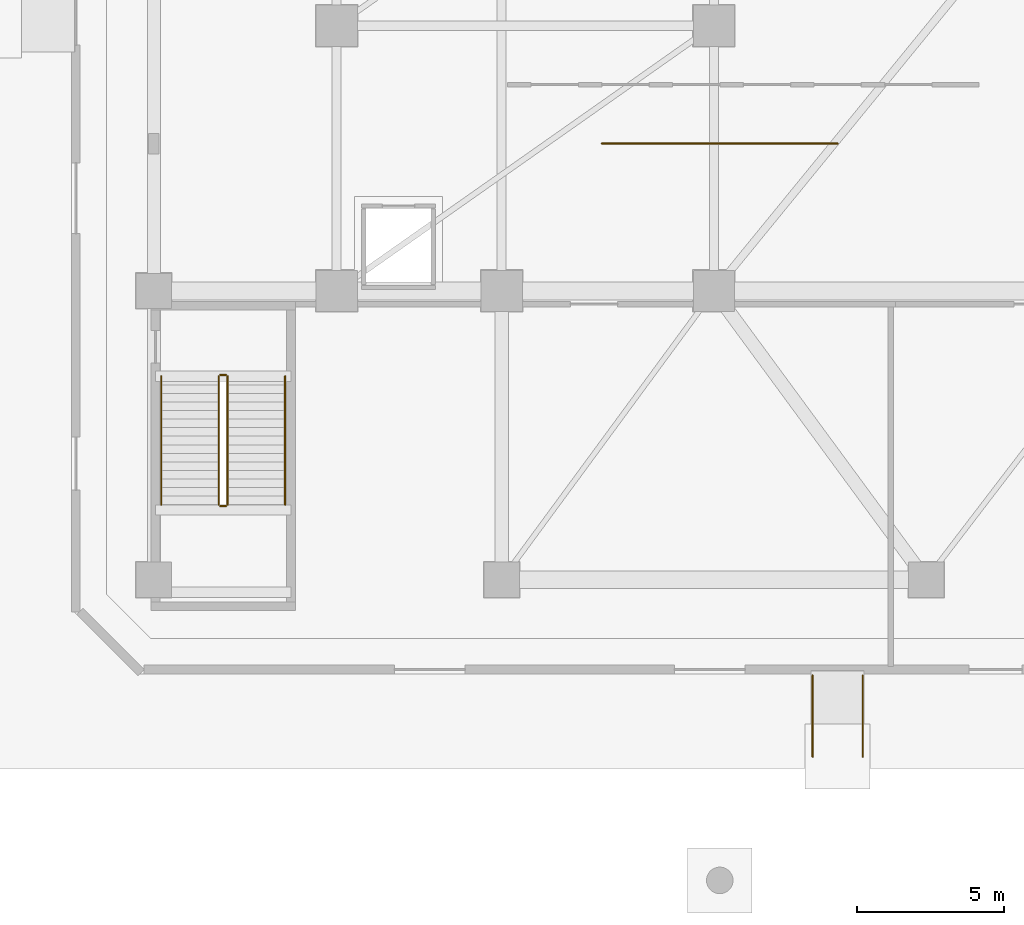
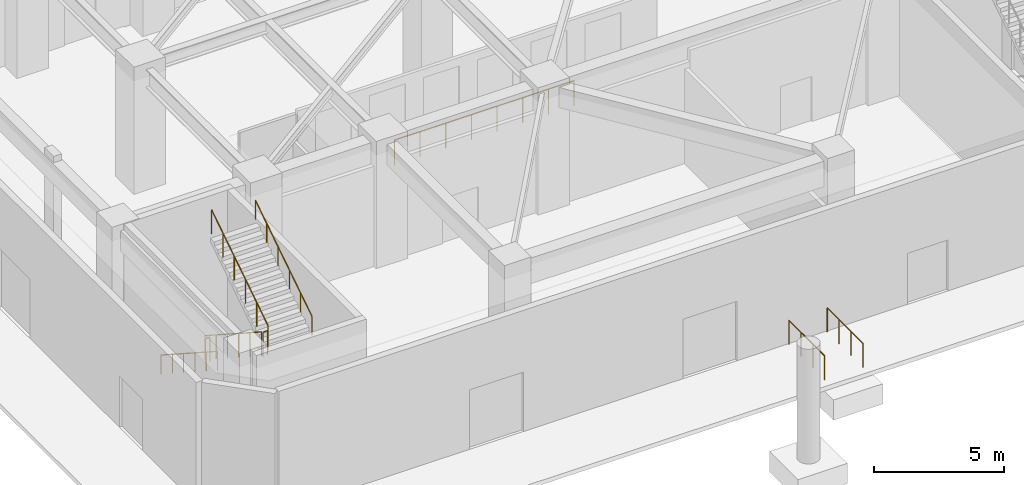
# One storey, part 7 of 13: 9 railings.
"""IFC4 building model written with IfcOpenShell, lengths in metres."""

from ifc_helpers import new_model, si_unit, direction, frame, origin, origin_2d, place, context, subcontext, project, spatial, circle, extrude, material, type_object, element, save


model = new_model("IFC4")

# Units and contexts
model_context = context("Model", 3, precision=1e-05, world=origin(), true_north=direction((0.0, 1.0)))
body_context = subcontext(model_context, "Body", "Model", "MODEL_VIEW")
ifc_project = project(units=[si_unit("LENGTHUNIT", "METRE"), si_unit("AREAUNIT", "SQUARE_METRE"), si_unit("VOLUMEUNIT", "CUBIC_METRE"), si_unit("PLANEANGLEUNIT", "RADIAN"), si_unit("MASSUNIT", "GRAM", prefix="KILO")], contexts=[model_context])

# Site, building, storey
site_placement = place(None, origin())
site = spatial("IfcSite", under=ifc_project, at=site_placement, CompositionType="ELEMENT")
building_placement = place(site_placement, origin())
building = spatial("IfcBuilding", under=site, at=building_placement, Name="Calvemar Wedge Station Tower", CompositionType="ELEMENT")
storey_placement = place(building_placement, origin())
storey = spatial("IfcBuildingStorey", under=building, at=storey_placement, Name="L01", CompositionType="ELEMENT", Elevation=0.0)

# Railings
ifc_material_1 = material(Name="Anodised aluminium 6063-T6", Category="aluminium")
railing_type_1 = type_object("IfcRailingType", Name="RL-BALUSTRADE-1200", PredefinedType="BALUSTRADE", material=ifc_material_1)
railing_1_placement = place(storey_placement, frame((20.0, 20.0, 0.0)))
element("IfcRailing", 1, at=railing_1_placement, inside=storey, type_object=railing_type_1, Name="Storey L01 Glazed Feature Balustrade 1", PredefinedType="BALUSTRADE", context=body_context, shape_type="SweptSolid", body=[
    extrude(circle(Radius=0.02392578125, at=origin_2d()), frame((0.0, 0.0, 1.17578125), z_axis=(1.0, 0.0, 0.0), x_axis=(0.0, 1.0, 0.0)), (0.0, 0.0, 1.0), 8.0),
    extrude(circle(Radius=0.02099609375, at=origin_2d()), origin(), (0.0, 0.0, 1.0), 1.15185546875),
    extrude(circle(Radius=0.02099609375, at=origin_2d()), frame((1.142822265625, 0.0, 0.0)), (0.0, 0.0, 1.0), 1.15185546875),
    extrude(circle(Radius=0.02099609375, at=origin_2d()), frame((2.28564453125, 0.0, 0.0)), (0.0, 0.0, 1.0), 1.15185546875),
    extrude(circle(Radius=0.02099609375, at=origin_2d()), frame((3.428466796875, 0.0, 0.0)), (0.0, 0.0, 1.0), 1.15185546875),
    extrude(circle(Radius=0.02099609375, at=origin_2d()), frame((4.571533203125, 0.0, 0.0)), (0.0, 0.0, 1.0), 1.15185546875),
    extrude(circle(Radius=0.02099609375, at=origin_2d()), frame((5.71435546875, 0.0, 0.0)), (0.0, 0.0, 1.0), 1.15185546875),
    extrude(circle(Radius=0.02099609375, at=origin_2d()), frame((6.857177734375, 0.0, 0.0)), (0.0, 0.0, 1.0), 1.15185546875),
    extrude(circle(Radius=0.02099609375, at=origin_2d()), frame((8.0, 0.0, 0.0)), (0.0, 0.0, 1.0), 1.15185546875),
])
ifc_material_2 = material(Name="Stainless steel AISI 316L", Category="steel")
railing_type_2 = type_object("IfcRailingType", Name="RL-HANDRAIL-920", PredefinedType="HANDRAIL", material=ifc_material_2)
railing_2_placement = place(storey_placement, frame((5.050048828125, 12.10009765625, 0.1875)))
element("IfcRailing", 2, at=railing_2_placement, inside=storey, type_object=railing_type_2, Name="L01 ST-P1 stair handrail 1", PredefinedType="HANDRAIL", context=body_context, shape_type="SweptSolid", body=[
    extrude(circle(Radius=0.02392578125, at=origin_2d()), frame((0.0, 0.0, 0.89599609375), z_axis=(0.0, -0.839769887392, 0.54294247967), x_axis=(1.0, 0.0, 0.0)), (0.0, 0.0, 1.0), 5.18017578125),
    extrude(circle(Radius=0.02099609375, at=origin_2d()), origin(), (0.0, 0.0, 1.0), 0.871826171875),
    extrude(circle(Radius=0.02099609375, at=origin_2d()), frame((0.0, -0.8701171875, 0.5625)), (0.0, 0.0, 1.0), 0.871826171875),
    extrude(circle(Radius=0.02099609375, at=origin_2d()), frame((0.0, -1.739990234375, 1.125)), (0.0, 0.0, 1.0), 0.871826171875),
    extrude(circle(Radius=0.02099609375, at=origin_2d()), frame((0.0, -2.610107421875, 1.6875)), (0.0, 0.0, 1.0), 0.871826171875),
    extrude(circle(Radius=0.02099609375, at=origin_2d()), frame((0.0, -3.47998046875, 2.25)), (0.0, 0.0, 1.0), 0.871826171875),
    extrude(circle(Radius=0.02099609375, at=origin_2d()), frame((0.0, -4.35009765625, 2.8125)), (0.0, 0.0, 1.0), 0.871826171875),
])
railing_3_placement = place(storey_placement, frame((9.25, 7.75, 3.1875)))
element("IfcRailing", 3, at=railing_3_placement, inside=storey, type_object=railing_type_2, Name="L01 ST-P1 stair handrail 2", PredefinedType="HANDRAIL", context=body_context, shape_type="SweptSolid", body=[
    extrude(circle(Radius=0.02392578125, at=origin_2d()), frame((0.0, 0.0, 0.89599609375), z_axis=(0.0, 0.839769887392, 0.54294247967), x_axis=(-1.0, 0.0, 0.0)), (0.0, 0.0, 1.0), 5.18017578125),
    extrude(circle(Radius=0.02099609375, at=origin_2d()), origin(), (0.0, 0.0, 1.0), 0.871826171875),
    extrude(circle(Radius=0.02099609375, at=origin_2d()), frame((0.0, 0.8701171875, 0.5625)), (0.0, 0.0, 1.0), 0.871826171875),
    extrude(circle(Radius=0.02099609375, at=origin_2d()), frame((0.0, 1.739990234375, 1.125)), (0.0, 0.0, 1.0), 0.871826171875),
    extrude(circle(Radius=0.02099609375, at=origin_2d()), frame((0.0, 2.610107421875, 1.6875)), (0.0, 0.0, 1.0), 0.871826171875),
    extrude(circle(Radius=0.02099609375, at=origin_2d()), frame((0.0, 3.47998046875, 2.25)), (0.0, 0.0, 1.0), 0.871826171875),
    extrude(circle(Radius=0.02099609375, at=origin_2d()), frame((0.0, 4.35009765625, 2.8125)), (0.0, 0.0, 1.0), 0.871826171875),
])
ifc_material_3 = material(Name="Painted steel guardrail ASTM A500 Grade C", Category="steel")
railing_type_3 = type_object("IfcRailingType", Name="RL-STAIR-GUARD-1150", PredefinedType="GUARDRAIL", material=ifc_material_3)
railing_4_placement = place(storey_placement, frame((7.0, 12.10009765625, 0.1875)))
element("IfcRailing", 4, at=railing_4_placement, inside=storey, type_object=railing_type_3, Name="L01 ST-P1 stair guard 1", PredefinedType="GUARDRAIL", context=body_context, shape_type="SweptSolid", body=[
    extrude(circle(Radius=0.02392578125, at=origin_2d()), frame((0.0, 0.0, 1.1259765625), z_axis=(0.0, -0.839769887392, 0.54294247967), x_axis=(1.0, 0.0, 0.0)), (0.0, 0.0, 1.0), 5.18017578125),
    extrude(circle(Radius=0.02099609375, at=origin_2d()), origin(), (0.0, 0.0, 1.0), 1.101806640625),
    extrude(circle(Radius=0.02099609375, at=origin_2d()), frame((0.0, -0.8701171875, 0.5625)), (0.0, 0.0, 1.0), 1.101806640625),
    extrude(circle(Radius=0.02099609375, at=origin_2d()), frame((0.0, -1.739990234375, 1.125)), (0.0, 0.0, 1.0), 1.101806640625),
    extrude(circle(Radius=0.02099609375, at=origin_2d()), frame((0.0, -2.610107421875, 1.6875)), (0.0, 0.0, 1.0), 1.101806640625),
    extrude(circle(Radius=0.02099609375, at=origin_2d()), frame((0.0, -3.47998046875, 2.25)), (0.0, 0.0, 1.0), 1.101806640625),
    extrude(circle(Radius=0.02099609375, at=origin_2d()), frame((0.0, -4.35009765625, 2.8125)), (0.0, 0.0, 1.0), 1.101806640625),
])
railing_5_placement = place(storey_placement, frame((7.050048828125, 7.699951171875, 3.0)))
element("IfcRailing", 5, at=railing_5_placement, inside=storey, type_object=railing_type_3, Name="L01 ST-P1 stair guard 2", PredefinedType="GUARDRAIL", context=body_context, shape_type="SweptSolid", body=[
    extrude(circle(Radius=0.02392578125, at=origin_2d()), frame((0.0, 0.0, 1.1259765625), z_axis=(1.0, 0.0, 0.0), x_axis=(0.0, 1.0, 0.0)), (0.0, 0.0, 1.0), 0.199951171875),
    extrude(circle(Radius=0.02099609375, at=origin_2d()), origin(), (0.0, 0.0, 1.0), 1.101806640625),
    extrude(circle(Radius=0.02099609375, at=origin_2d()), frame((0.199951171875, 0.0, 0.0)), (0.0, 0.0, 1.0), 1.101806640625),
])
railing_6_placement = place(storey_placement, frame((7.300048828125, 7.75, 3.1875)))
element("IfcRailing", 6, at=railing_6_placement, inside=storey, type_object=railing_type_3, Name="L01 ST-P1 stair guard 3", PredefinedType="GUARDRAIL", context=body_context, shape_type="SweptSolid", body=[
    extrude(circle(Radius=0.02392578125, at=origin_2d()), frame((0.0, 0.0, 1.1259765625), z_axis=(0.0, 0.839769887392, 0.54294247967), x_axis=(-1.0, 0.0, 0.0)), (0.0, 0.0, 1.0), 5.18017578125),
    extrude(circle(Radius=0.02099609375, at=origin_2d()), origin(), (0.0, 0.0, 1.0), 1.101806640625),
    extrude(circle(Radius=0.02099609375, at=origin_2d()), frame((0.0, 0.8701171875, 0.5625)), (0.0, 0.0, 1.0), 1.101806640625),
    extrude(circle(Radius=0.02099609375, at=origin_2d()), frame((0.0, 1.739990234375, 1.125)), (0.0, 0.0, 1.0), 1.101806640625),
    extrude(circle(Radius=0.02099609375, at=origin_2d()), frame((0.0, 2.610107421875, 1.6875)), (0.0, 0.0, 1.0), 1.101806640625),
    extrude(circle(Radius=0.02099609375, at=origin_2d()), frame((0.0, 3.47998046875, 2.25)), (0.0, 0.0, 1.0), 1.101806640625),
    extrude(circle(Radius=0.02099609375, at=origin_2d()), frame((0.0, 4.35009765625, 2.8125)), (0.0, 0.0, 1.0), 1.101806640625),
])
railing_7_placement = place(storey_placement, frame((7.050048828125, 12.14990234375, 0.0)))
element("IfcRailing", 7, at=railing_7_placement, inside=storey, type_object=railing_type_3, Name="L01 ST-P1 stair guard 4", PredefinedType="GUARDRAIL", context=body_context, shape_type="SweptSolid", body=[
    extrude(circle(Radius=0.02392578125, at=origin_2d()), frame((0.0, 0.0, 1.1259765625), z_axis=(1.0, 0.0, 0.0), x_axis=(0.0, 1.0, 0.0)), (0.0, 0.0, 1.0), 0.199951171875),
    extrude(circle(Radius=0.02099609375, at=origin_2d()), origin(), (0.0, 0.0, 1.0), 1.101806640625),
    extrude(circle(Radius=0.02099609375, at=origin_2d()), frame((0.199951171875, 0.0, 0.0)), (0.0, 0.0, 1.0), 1.101806640625),
])
for number, where, name in (
    (8, (27.14990234375, -0.800048828125, 0.0), "Accessible Ramp Guardrail 3"),
    (9, (28.85009765625, -0.800048828125, 0.0), "Accessible Ramp Guardrail 4"),
):
    element("IfcRailing", number, at=place(storey_placement, frame(where)), inside=storey, type_object=railing_type_3, Name=name, PredefinedType="GUARDRAIL", context=body_context, shape_type="SweptSolid", body=[
        extrude(circle(Radius=0.02392578125, at=origin_2d()), frame((0.0, 0.0, 1.1259765625), z_axis=(0.0, 1.0, 0.0), x_axis=(-1.0, 0.0, 0.0)), (0.0, 0.0, 1.0), 2.75),
        extrude(circle(Radius=0.02099609375, at=origin_2d()), origin(), (0.0, 0.0, 1.0), 1.101806640625),
        extrude(circle(Radius=0.02099609375, at=origin_2d()), frame((0.0, 0.916748046875, 0.0)), (0.0, 0.0, 1.0), 1.101806640625),
        extrude(circle(Radius=0.02099609375, at=origin_2d()), frame((0.0, 1.833251953125, 0.0)), (0.0, 0.0, 1.0), 1.101806640625),
        extrude(circle(Radius=0.02099609375, at=origin_2d()), frame((0.0, 2.75, 0.0)), (0.0, 0.0, 1.0), 1.101806640625),
    ])

save(model, "model.ifc")
